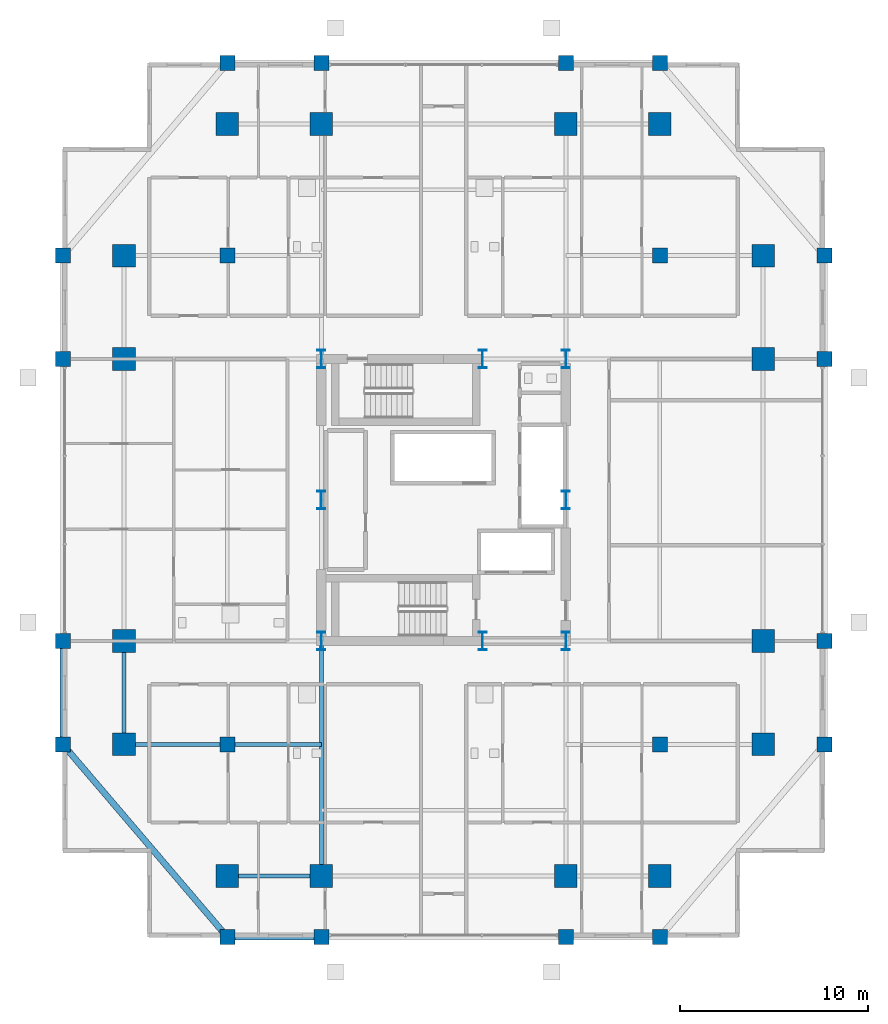
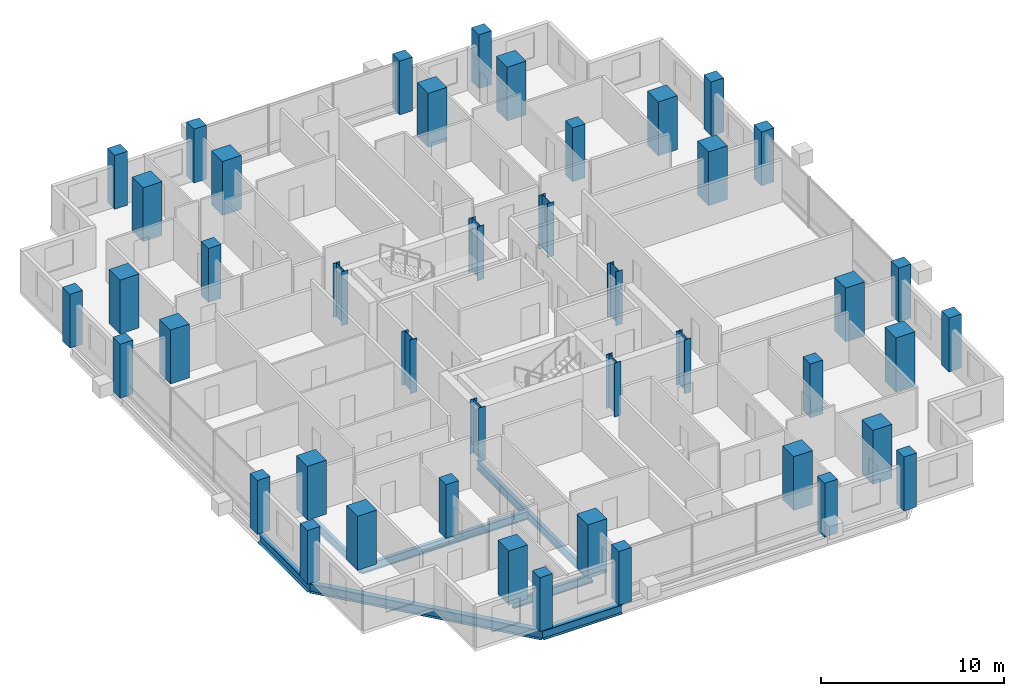
# One storey, part 1 of 20: 44 columns, 8 beams.
"""IFC4 building model written with IfcOpenShell, lengths in metres."""

from ifc_helpers import new_model, si_unit, direction, frame, origin, origin_2d, place, context, subcontext, project, spatial, rectangle, i_section, extrude, material, material_profile, profile_set, type_object, element, save


model = new_model("IFC4")

# Units and contexts
model_context = context("Model", 3, precision=1e-05, world=origin(), true_north=direction((0.0, 1.0)))
body_context = subcontext(model_context, "Body", "Model", "MODEL_VIEW")
ifc_project = project(units=[si_unit("LENGTHUNIT", "METRE"), si_unit("AREAUNIT", "SQUARE_METRE"), si_unit("VOLUMEUNIT", "CUBIC_METRE"), si_unit("PLANEANGLEUNIT", "RADIAN"), si_unit("MASSUNIT", "GRAM", prefix="KILO")], contexts=[model_context])

# Site, building, storey
site_placement = place(None, origin())
site = spatial("IfcSite", under=ifc_project, at=site_placement, CompositionType="ELEMENT")
building_placement = place(site_placement, origin())
building = spatial("IfcBuilding", under=site, at=building_placement, Name="Barlavira Tower and Art Museum", CompositionType="ELEMENT")
storey_placement = place(building_placement, frame((0.0, 0.0, 136.800048828125)))
storey = spatial("IfcBuildingStorey", under=building, at=storey_placement, Name="L34", CompositionType="ELEMENT", Elevation=136.800048828125)

# Columns
ifc_material_1 = material(Name="Steel S355", Category="steel")
ifc_material_profile_1 = material_profile(ifc_material_1, i_section(OverallWidth=0.419921875, OverallDepth=0.9599609375, WebThickness=0.02197265625, FlangeThickness=0.033935546875, at=origin_2d()), Name="W920x387.0")
ifc_profile_set_1 = profile_set([ifc_material_profile_1], Name="Steel S355")
column_type_1 = type_object("IfcColumnType", Name="Core Composite Column W920x387 Steel S355", PredefinedType="COLUMN", material=ifc_profile_set_1)
for number, where, z_axis, x_axis, name in (
    (1, (-6.5, -7.5, 0.0), (0.0, 0.0, 1.0), (1.0, 0.0, 0.0), "L34 Column CC-L34-C1"),
    (2, (2.080078125, -7.5, 0.0), (0.0, 0.0, 1.0), (1.0, 0.0, 0.0), "L34 Column CC-L34-C2"),
    (3, (6.5, -7.5, 0.0), (0.0, 0.0, 1.0), (1.0, 0.0, 0.0), "L34 Column CC-L34-C3"),
    (4, (-6.5, 0.0, 0.0), (0.0, 0.0, 1.0), (1.0, 0.0, 0.0), "L34 Column CC-L34-C4"),
    (5, (6.5, 0.0, 0.0), (0.0, 0.0, 1.0), (1.0, 0.0, 0.0), "L34 Column CC-L34-C5"),
    (6, (-6.5, 7.5, 0.0), (0.0, 0.0, 1.0), (1.0, 0.0, 0.0), "L34 Column CC-L34-C6"),
    (7, (2.080078125, 7.5, 0.0), (0.0, 0.0, 1.0), (1.0, 0.0, 0.0), "L34 Column CC-L34-C7"),
    (8, (6.5, 7.5, 0.0), (0.0, 0.0, 1.0), (1.0, 0.0, 0.0), "L34 Column CC-L34-C8"),
):
    element("IfcColumn", number, at=place(storey_placement, frame(where, z_axis=z_axis, x_axis=x_axis)), inside=storey, type_object=column_type_1, Name=name, PredefinedType="COLUMN", context=body_context, shape_type="SweptSolid", body=[
        extrude(i_section(OverallWidth=0.419921875, OverallDepth=0.9599609375, WebThickness=0.02197265625, FlangeThickness=0.033935546875, at=origin_2d()), origin(), (0.0, 0.0, 1.0), 3.599853515625),
    ])
ifc_material_2 = material(Name="Concrete C60", Category="concrete")
ifc_material_profile_2 = material_profile(ifc_material_2, rectangle(XDim=1.199951171875, YDim=1.199951171875, at=origin_2d()), Name="RC-COL 1200x1200")
ifc_profile_set_2 = profile_set([ifc_material_profile_2], Name="Concrete C60")
column_type_2 = type_object("IfcColumnType", Name="Perimeter Mega Column 1200x1200 Concrete C60", PredefinedType="USERDEFINED", material=ifc_profile_set_2)
for number, where, z_axis, x_axis, name in (
    (9, (-11.5, -20.0, 0.0), (0.0, 0.0, 1.0), (1.0, 0.0, 0.0), "L34 Column MC-L34-M01"),
    (10, (-6.5, -20.0, 0.0), (0.0, 0.0, 1.0), (1.0, 0.0, 0.0), "L34 Column MC-L34-M02"),
    (11, (6.5, -20.0, 0.0), (0.0, 0.0, 1.0), (1.0, 0.0, 0.0), "L34 Column MC-L34-M03"),
    (12, (11.5, -20.0, 0.0), (0.0, 0.0, 1.0), (1.0, 0.0, 0.0), "L34 Column MC-L34-M04"),
    (13, (17.0, -13.0, 0.0), (0.0, 0.0, 1.0), (1.0, 0.0, 0.0), "L34 Column MC-L34-M05"),
    (14, (17.0, -7.5, 0.0), (0.0, 0.0, 1.0), (1.0, 0.0, 0.0), "L34 Column MC-L34-M06"),
    (15, (17.0, 7.5, 0.0), (0.0, 0.0, 1.0), (1.0, 0.0, 0.0), "L34 Column MC-L34-M07"),
    (16, (17.0, 13.0, 0.0), (0.0, 0.0, 1.0), (1.0, 0.0, 0.0), "L34 Column MC-L34-M08"),
    (17, (11.5, 20.0, 0.0), (0.0, 0.0, 1.0), (1.0, 0.0, 0.0), "L34 Column MC-L34-M09"),
    (18, (6.5, 20.0, 0.0), (0.0, 0.0, 1.0), (1.0, 0.0, 0.0), "L34 Column MC-L34-M10"),
    (19, (-6.5, 20.0, 0.0), (0.0, 0.0, 1.0), (1.0, 0.0, 0.0), "L34 Column MC-L34-M11"),
    (20, (-11.5, 20.0, 0.0), (0.0, 0.0, 1.0), (1.0, 0.0, 0.0), "L34 Column MC-L34-M12"),
    (21, (-17.0, 13.0, 0.0), (0.0, 0.0, 1.0), (1.0, 0.0, 0.0), "L34 Column MC-L34-M13"),
    (22, (-17.0, 7.5, 0.0), (0.0, 0.0, 1.0), (1.0, 0.0, 0.0), "L34 Column MC-L34-M14"),
    (23, (-17.0, -7.5, 0.0), (0.0, 0.0, 1.0), (1.0, 0.0, 0.0), "L34 Column MC-L34-M15"),
    (24, (-17.0, -13.0, 0.0), (0.0, 0.0, 1.0), (1.0, 0.0, 0.0), "L34 Column MC-L34-M16"),
):
    element("IfcColumn", number, at=place(storey_placement, frame(where, z_axis=z_axis, x_axis=x_axis)), inside=storey, type_object=column_type_2, Name=name, ObjectType="MEGA COLUMN", PredefinedType="USERDEFINED", context=body_context, shape_type="SweptSolid", body=[
        extrude(rectangle(XDim=1.199951171875, YDim=1.199951171875, at=origin_2d()), origin(), (0.0, 0.0, 1.0), 3.599853515625),
    ])
ifc_material_3 = material(Name="Concrete C50", Category="concrete")
ifc_material_profile_3 = material_profile(ifc_material_3, rectangle(XDim=0.800048828125, YDim=0.800048828125, at=origin_2d()), Name="RC-COL 800x800")
ifc_profile_set_3 = profile_set([ifc_material_profile_3], Name="Concrete C50")
column_type_3 = type_object("IfcColumnType", Name="Podium Frame Column 800x800 Concrete C50", PredefinedType="COLUMN", material=ifc_profile_set_3)
for number, where, z_axis, x_axis, name in (
    (25, (-11.5, -13.0, 0.0), (0.0, 0.0, 1.0), (1.0, 0.0, 0.0), "L34 Column CI-L34-I1"),
    (26, (11.5, -13.0, 0.0), (0.0, 0.0, 1.0), (1.0, 0.0, 0.0), "L34 Column CI-L34-I2"),
    (27, (-11.5, 13.0, 0.0), (0.0, 0.0, 1.0), (1.0, 0.0, 0.0), "L34 Column CI-L34-I3"),
    (28, (11.5, 13.0, 0.0), (0.0, 0.0, 1.0), (1.0, 0.0, 0.0), "L34 Column CI-L34-I4"),
    (29, (-11.5, -23.25, 0.0), (0.0, 0.0, 1.0), (1.0, 0.0, 0.0), "L34 Column CZ2-L34-N01"),
    (30, (-6.5, -23.25, 0.0), (0.0, 0.0, 1.0), (1.0, 0.0, 0.0), "L34 Column CZ2-L34-N02"),
    (31, (6.5, -23.25, 0.0), (0.0, 0.0, 1.0), (1.0, 0.0, 0.0), "L34 Column CZ2-L34-N02B"),
    (32, (11.5, -23.25, 0.0), (0.0, 0.0, 1.0), (1.0, 0.0, 0.0), "L34 Column CZ2-L34-N03"),
    (33, (-20.25, -13.0, 0.0), (0.0, 0.0, 1.0), (1.0, 0.0, 0.0), "L34 Column CZ2-L34-N04"),
    (34, (-20.25, -7.5, 0.0), (0.0, 0.0, 1.0), (1.0, 0.0, 0.0), "L34 Column CZ2-L34-N05"),
    (35, (-20.25, 7.5, 0.0), (0.0, 0.0, 1.0), (1.0, 0.0, 0.0), "L34 Column CZ2-L34-N05B"),
    (36, (-20.25, 13.0, 0.0), (0.0, 0.0, 1.0), (1.0, 0.0, 0.0), "L34 Column CZ2-L34-N06"),
    (37, (-11.5, 23.25, 0.0), (0.0, 0.0, 1.0), (1.0, 0.0, 0.0), "L34 Column CZ2-L34-N07"),
    (38, (-6.5, 23.25, 0.0), (0.0, 0.0, 1.0), (1.0, 0.0, 0.0), "L34 Column CZ2-L34-N08"),
    (39, (6.5, 23.25, 0.0), (0.0, 0.0, 1.0), (1.0, 0.0, 0.0), "L34 Column CZ2-L34-N08B"),
    (40, (11.5, 23.25, 0.0), (0.0, 0.0, 1.0), (1.0, 0.0, 0.0), "L34 Column CZ2-L34-N09"),
    (41, (20.25, -13.0, 0.0), (0.0, 0.0, 1.0), (1.0, 0.0, 0.0), "L34 Column CZ2-L34-N10"),
    (42, (20.25, -7.5, 0.0), (0.0, 0.0, 1.0), (1.0, 0.0, 0.0), "L34 Column CZ2-L34-N11"),
    (43, (20.25, 7.5, 0.0), (0.0, 0.0, 1.0), (1.0, 0.0, 0.0), "L34 Column CZ2-L34-N11B"),
    (44, (20.25, 13.0, 0.0), (0.0, 0.0, 1.0), (1.0, 0.0, 0.0), "L34 Column CZ2-L34-N12"),
):
    element("IfcColumn", number, at=place(storey_placement, frame(where, z_axis=z_axis, x_axis=x_axis)), inside=storey, type_object=column_type_3, Name=name, PredefinedType="COLUMN", context=body_context, shape_type="SweptSolid", body=[
        extrude(rectangle(XDim=0.800048828125, YDim=0.800048828125, at=origin_2d()), origin(), (0.0, 0.0, 1.0), 3.599853515625),
    ])

# Beams
ifc_material_profile_4 = material_profile(ifc_material_1, i_section(OverallWidth=0.327880859375, OverallDepth=0.62890625, WebThickness=0.013916015625, FlangeThickness=0.021484375, at=origin_2d()), Name="W610x174.0")
ifc_profile_set_4 = profile_set([ifc_material_profile_4], Name="Steel S355")
beam_type_1 = type_object("IfcBeamType", Name="Perimeter Spandrel Edge Beam W610x174 Steel S355", PredefinedType="SPANDREL", material=ifc_profile_set_4)
beam_1_placement = place(storey_placement, frame((-11.5, -23.25, -0.53466796875), z_axis=(1.0, 0.0, 0.0), x_axis=(0.0, 1.0, 0.0)))
element("IfcBeam", 45, at=beam_1_placement, inside=storey, type_object=beam_type_1, Name="L34 Spandrel 1", PredefinedType="SPANDREL", context=body_context, shape_type="SweptSolid", body=[
    extrude(i_section(OverallWidth=0.327880859375, OverallDepth=0.62890625, WebThickness=0.013916015625, FlangeThickness=0.021484375, at=origin_2d()), origin(), (0.0, 0.0, 1.0), 5.0),
])
beam_2_placement = place(storey_placement, frame((-20.25, -13.0, -0.53466796875), z_axis=(0.0, 1.0, 0.0), x_axis=(-1.0, 0.0, 0.0)))
element("IfcBeam", 46, at=beam_2_placement, inside=storey, type_object=beam_type_1, Name="L34 Spandrel 15", PredefinedType="SPANDREL", context=body_context, shape_type="SweptSolid", body=[
    extrude(i_section(OverallWidth=0.327880859375, OverallDepth=0.62890625, WebThickness=0.013916015625, FlangeThickness=0.021484375, at=origin_2d()), origin(), (0.0, 0.0, 1.0), 5.5),
])
beam_3_placement = place(storey_placement, frame((-20.25, -13.0, -0.53466796875), z_axis=(0.649262379928, -0.760564502202, 0.0), x_axis=(0.760564502202, 0.649262379928, 0.0)))
element("IfcBeam", 47, at=beam_3_placement, inside=storey, type_object=beam_type_1, Name="L34 Spandrel 16", PredefinedType="SPANDREL", context=body_context, shape_type="SweptSolid", body=[
    extrude(i_section(OverallWidth=0.327880859375, OverallDepth=0.62890625, WebThickness=0.013916015625, FlangeThickness=0.021484375, at=origin_2d()), origin(), (0.0, 0.0, 1.0), 13.476806640625),
])
ifc_material_profile_5 = material_profile(ifc_material_1, i_section(OverallWidth=0.214111328125, OverallDepth=0.549072265625, WebThickness=0.0146484375, FlangeThickness=0.023681640625, at=origin_2d()), Name="W530x138.0")
ifc_profile_set_5 = profile_set([ifc_material_profile_5], Name="Steel S355")
beam_type_2 = type_object("IfcBeamType", Name="Zone 1 Primary Floor Girder W530x138 Steel S355", PredefinedType="BEAM", material=ifc_profile_set_5)
beam_4_placement = place(storey_placement, frame((-11.5, -20.0, -0.49462890625), z_axis=(1.0, 0.0, 0.0), x_axis=(0.0, 1.0, 0.0)))
element("IfcBeam", 48, at=beam_4_placement, inside=storey, type_object=beam_type_2, Name="L34 Girder M-S1", PredefinedType="BEAM", context=body_context, shape_type="SweptSolid", body=[
    extrude(i_section(OverallWidth=0.214111328125, OverallDepth=0.549072265625, WebThickness=0.0146484375, FlangeThickness=0.023681640625, at=origin_2d()), origin(), (0.0, 0.0, 1.0), 5.0),
])
beam_5_placement = place(storey_placement, frame((-17.0, -13.0, -0.49462890625), z_axis=(0.0, 1.0, 0.0), x_axis=(-1.0, 0.0, 0.0)))
element("IfcBeam", 49, at=beam_5_placement, inside=storey, type_object=beam_type_2, Name="L34 Girder M-W1", PredefinedType="BEAM", context=body_context, shape_type="SweptSolid", body=[
    extrude(i_section(OverallWidth=0.214111328125, OverallDepth=0.549072265625, WebThickness=0.0146484375, FlangeThickness=0.023681640625, at=origin_2d()), origin(), (0.0, 0.0, 1.0), 5.5),
])
beam_6_placement = place(storey_placement, frame((-6.5, -20.0, -0.49462890625), z_axis=(0.0, 1.0, 0.0), x_axis=(-1.0, 0.0, 0.0)))
element("IfcBeam", 50, at=beam_6_placement, inside=storey, type_object=beam_type_2, Name="L34 Girder R-S1", PredefinedType="BEAM", context=body_context, shape_type="SweptSolid", body=[
    extrude(i_section(OverallWidth=0.214111328125, OverallDepth=0.549072265625, WebThickness=0.0146484375, FlangeThickness=0.023681640625, at=origin_2d()), origin(), (0.0, 0.0, 1.0), 12.5),
])
beam_7_placement = place(storey_placement, frame((-17.0, -13.0, -0.49462890625), z_axis=(1.0, 0.0, 0.0), x_axis=(0.0, 1.0, 0.0)))
element("IfcBeam", 51, at=beam_7_placement, inside=storey, type_object=beam_type_2, Name="L34 Girder I-S1", PredefinedType="BEAM", context=body_context, shape_type="SweptSolid", body=[
    extrude(i_section(OverallWidth=0.214111328125, OverallDepth=0.549072265625, WebThickness=0.0146484375, FlangeThickness=0.023681640625, at=origin_2d()), origin(), (0.0, 0.0, 1.0), 5.5),
])
beam_8_placement = place(storey_placement, frame((-11.5, -13.0, -0.49462890625), z_axis=(1.0, 0.0, 0.0), x_axis=(0.0, 1.0, 0.0)))
element("IfcBeam", 52, at=beam_8_placement, inside=storey, type_object=beam_type_2, Name="L34 Girder I-S2", PredefinedType="BEAM", context=body_context, shape_type="SweptSolid", body=[
    extrude(i_section(OverallWidth=0.214111328125, OverallDepth=0.549072265625, WebThickness=0.0146484375, FlangeThickness=0.023681640625, at=origin_2d()), origin(), (0.0, 0.0, 1.0), 5.0),
])

save(model, "model.ifc")
